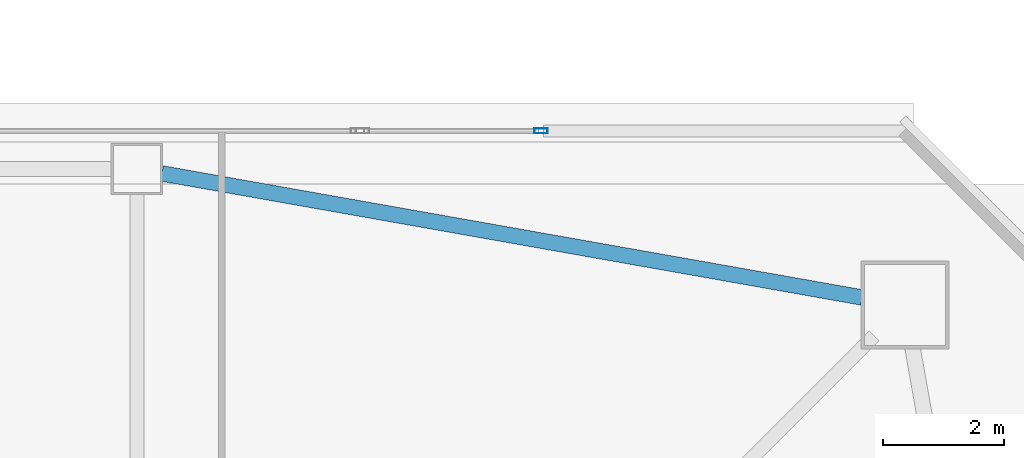
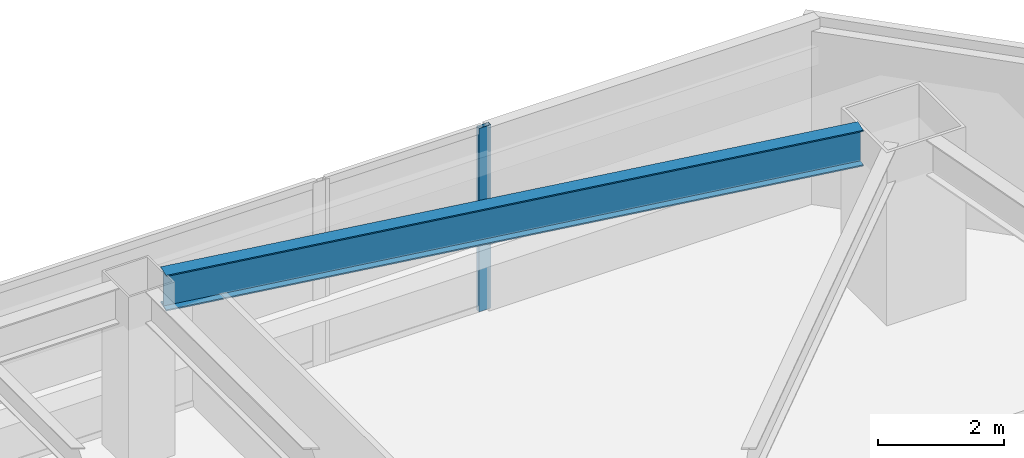
# One storey, part 17 of 44: 1 beam, 1 member, 1 element without a shape of its own.
"""IFC4 building model written with IfcOpenShell, lengths in metres."""

from ifc_helpers import new_model, si_unit, direction, frame, origin, origin_2d, place, context, subcontext, project, spatial, hollow_rectangle, i_section, extrude, material, material_profile, profile_set, type_object, element, aggregate, save


model = new_model("IFC4")

# Units and contexts
model_context = context("Model", 3, precision=1e-05, world=origin(), true_north=direction((0.0, 1.0)))
body_context = subcontext(model_context, "Body", "Model", "MODEL_VIEW")
ifc_project = project(units=[si_unit("LENGTHUNIT", "METRE"), si_unit("AREAUNIT", "SQUARE_METRE"), si_unit("VOLUMEUNIT", "CUBIC_METRE"), si_unit("PLANEANGLEUNIT", "RADIAN"), si_unit("MASSUNIT", "GRAM", prefix="KILO")], contexts=[model_context])

# Site, building, storey
site_placement = place(None, origin())
site = spatial("IfcSite", under=ifc_project, at=site_placement, CompositionType="ELEMENT")
building_placement = place(site_placement, origin())
building = spatial("IfcBuilding", under=site, at=building_placement, Name="Tashvorn Skyway Center", CompositionType="ELEMENT")
storey_placement = place(building_placement, frame((0.0, 0.0, 74.300048828125)))
storey = spatial("IfcBuildingStorey", under=building, at=storey_placement, Name="L19", CompositionType="ELEMENT", Elevation=74.300048828125)

# Beam
ifc_material_1 = material(Name="Steel ASTM A992 Grade 50", Category="steel")
ifc_material_profile_1 = material_profile(ifc_material_1, i_section(OverallWidth=0.256103515625, OverallDepth=0.693115234375, WebThickness=0.014404296875, FlangeThickness=0.023681640625, at=origin_2d()), Name="W27X114")
ifc_profile_set_1 = profile_set([ifc_material_profile_1], Name="Steel ASTM A992 Grade 50")
beam_type = type_object("IfcBeamType", Name="BM-SPANDREL-W27X114", PredefinedType="SPANDREL", material=ifc_profile_set_1)
beam_placement = place(storey_placement, frame((59.39111328125, 50.2255859375, 3.00341796875), z_axis=(-0.98466816531, 0.174437966698, 0.0), x_axis=(-0.174437966698, -0.98466816531, 0.0)))
element("IfcBeam", 1, at=beam_placement, inside=storey, type_object=beam_type, Name="Tower 1 L19 Spandrel Beam 07", PredefinedType="SPANDREL", context=body_context, shape_type="SweptSolid", body=[
    extrude(i_section(OverallWidth=0.256103515625, OverallDepth=0.693115234375, WebThickness=0.014404296875, FlangeThickness=0.023681640625, at=origin_2d()), origin(), (0.0, 0.0, 1.0), 11.7578125),
])

# Curtain wall, member
ifc_material_2 = material(Name="Thermally broken bronze-anodized aluminium 6063-T6", Category="aluminium")
curtain_wall_type = type_object("IfcCurtainWallType", Name="CW-CW-Z2", PredefinedType="NOTDEFINED", material=ifc_material_2)
curtain_wall_placement = place(storey_placement, origin())
curtain_wall = element("IfcCurtainWall", 2, at=curtain_wall_placement, inside=storey, type_object=curtain_wall_type, Name="Tower 1 L19 North Unitised Curtain Wall Glazing Group 3", PredefinedType="NOTDEFINED")
ifc_material_profile_2 = material_profile(ifc_material_2, hollow_rectangle(XDim=0.080078125, YDim=0.219970703125, WallThickness=0.0048828125, at=origin_2d()), Name="ALU-MULL-80x220")
ifc_profile_set_2 = profile_set([ifc_material_profile_2], Name="Thermally broken bronze-anodized aluminium 6063-T6")
member_type = type_object("IfcMemberType", Name="CWM-CW-Z2", PredefinedType="MULLION", material=ifc_profile_set_2)
member_placement = place(storey_placement, frame((54.080078125, 52.97998046875, 0.0), z_axis=(0.0, 0.0, 1.0), x_axis=(0.0, 1.0, 0.0)))
member = element("IfcMember", 3, at=member_placement, type_object=member_type, Name="CW-Z2 mullion 2", PredefinedType="MULLION", context=body_context, shape_type="SweptSolid", body=[
    extrude(hollow_rectangle(XDim=0.080078125, YDim=0.219970703125, WallThickness=0.0048828125, at=origin_2d()), origin(), (0.0, 0.0, 1.0), 3.550048828125),
])
aggregate(curtain_wall, [member])

save(model, "model.ifc")
